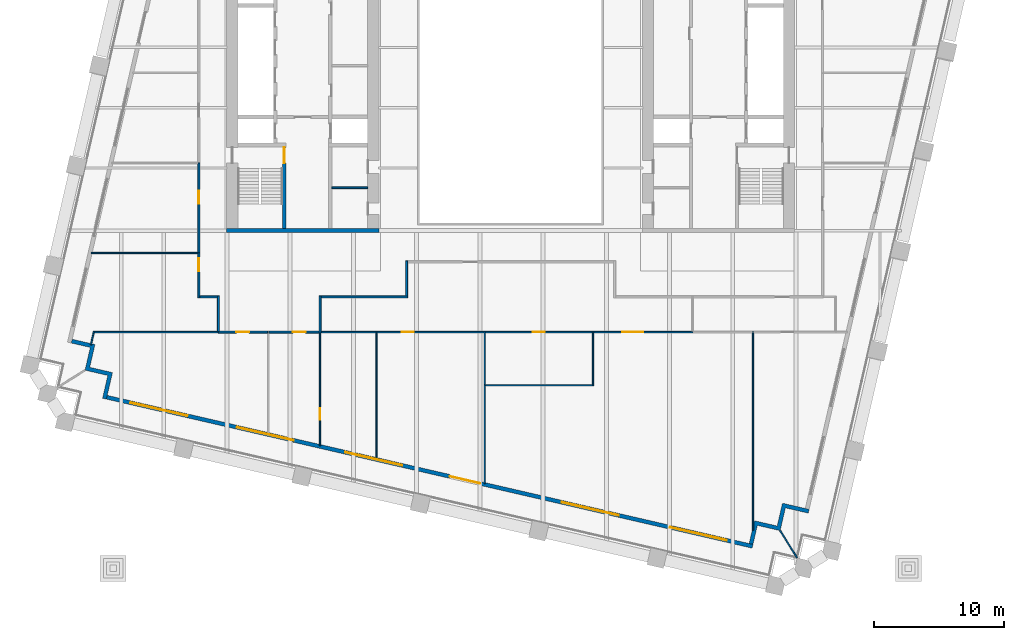
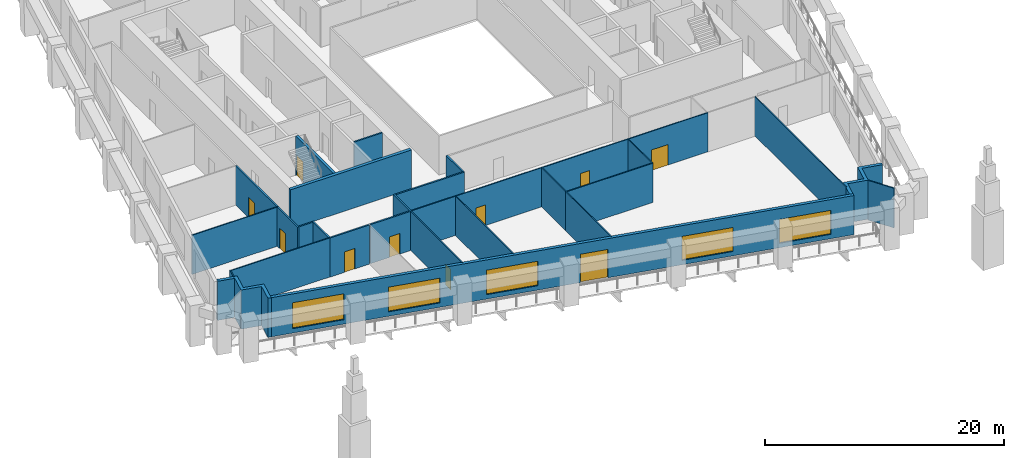
# One storey, part 4 of 10: 30 walls, 10 doors, 5 windows, 15 openings.
"""IFC4 building model written with IfcOpenShell, lengths in metres."""

from ifc_helpers import new_model, si_unit, direction, frame, frame_2d, origin, place, context, subcontext, project, spatial, polyline, rectangle, outline, extrude, material, layer, layer_set, type_object, element, fill, save


model = new_model("IFC4")

# Units and contexts
model_context = context("Model", 3, precision=1e-05, world=origin(), true_north=direction((0.0, 1.0)))
body_context = subcontext(model_context, "Body", "Model", "MODEL_VIEW")
ifc_project = project(units=[si_unit("LENGTHUNIT", "METRE"), si_unit("AREAUNIT", "SQUARE_METRE"), si_unit("VOLUMEUNIT", "CUBIC_METRE"), si_unit("PLANEANGLEUNIT", "RADIAN"), si_unit("MASSUNIT", "GRAM", prefix="KILO")], contexts=[model_context])

# Site, building, storey
site_placement = place(None, origin())
site = spatial("IfcSite", under=ifc_project, at=site_placement, CompositionType="ELEMENT")
building_placement = place(site_placement, origin())
building = spatial("IfcBuilding", under=site, at=building_placement, Name="Ogive Exchange Tower", CompositionType="ELEMENT")
storey_placement = place(building_placement, frame((0.0, 0.0, 105.60009765625)))
storey = spatial("IfcBuildingStorey", under=building, at=storey_placement, Name="L22", CompositionType="ELEMENT", Elevation=105.60009765625)

# Wall
ifc_material_1 = material(Name="Gypsum board partition")
ifc_layer_1 = layer(ifc_material_1, 0.14990234375)
ifc_layer_set_1 = layer_set([ifc_layer_1], Name="Core room partition 150 gypsum")
wall_type_1 = type_object("IfcWallType", Name="Core room partition 150 gypsum", PredefinedType="PARTITIONING", material=ifc_layer_set_1)
wall_1_placement = place(storey_placement, frame((-13.75, 0.699951171875, 0.0), z_axis=(0.0, 0.0, 1.0), x_axis=(1.0, 0.0, 0.0)))
element("IfcWall", 1, at=wall_1_placement, inside=storey, type_object=wall_type_1, Name="W south room partition", PredefinedType="PARTITIONING", context=body_context, shape_type="SweptSolid", body=[
    extrude(rectangle(XDim=2.75, YDim=0.14990234375, at=frame_2d((1.375, 0.0))), origin(), (0.0, 0.0, 1.0), 4.0),
])

# Wall, opening, door
ifc_material_2 = material(Name="Fire partition EI 60 150")
ifc_layer_2 = layer(ifc_material_2, 0.14990234375)
ifc_layer_set_2 = layer_set([ifc_layer_2], Name="Fire partition EI 60 150")
wall_type_2 = type_object("IfcWallType", Name="Fire partition EI 60 150", PredefinedType="PARTITIONING", material=ifc_layer_set_2)
wall_2_placement = place(storey_placement, frame((-24.0, -7.77490234375, 0.0), z_axis=(0.0, 0.0, 1.0), x_axis=(0.0, 1.0, 0.0)))
wall_2 = element("IfcWall", 2, at=wall_2_placement, inside=storey, type_object=wall_type_2, Name="L22-PWL-003", PredefinedType="PARTITIONING", context=body_context, shape_type="SweptSolid", body=[
    extrude(rectangle(XDim=3.454833984375, YDim=0.14990234375, at=frame_2d((1.7275390625, 0.0))), origin(), (0.0, 0.0, 1.0), 4.0),
])
opening_1_placement = place(wall_2_placement, frame((2.054931640625, 0.0, 0.0)))
opening_1 = element("IfcOpeningElement", 3, at=opening_1_placement, cuts=wall_2, Name="Opening L22-I21", PredefinedType="OPENING", context=body_context, shape_type="SweptSolid", body=[
    extrude(rectangle(XDim=1.0, YDim=2.10009765625, at=frame_2d((0.5, 1.050048828125))), frame((0.0, 0.0849609375, 0.0), z_axis=(0.0, -1.0, 0.0), x_axis=(1.0, 0.0, 0.0)), (0.0, 0.0, 1.0), 0.169921875),
])
ifc_material_3 = material(Name="Fire door FD 30S 1000 x 2100")
door_type_1 = type_object("IfcDoorType", Name="Fire door FD 30S 1000 x 2100", OperationType="NOTDEFINED", PredefinedType="DOOR", material=ifc_material_3)
door_1_placement = place(opening_1_placement, origin())
door_1 = element("IfcDoor", 4, at=door_1_placement, inside=storey, type_object=door_type_1, Name="L22-IDR-021", ObjectType="DT3", OperationType="SINGLE_SWING_LEFT", OverallHeight=2.10009765625, OverallWidth=1.0, PredefinedType="DOOR", context=body_context, shape_type="SweptSolid", body=[
    extrude(rectangle(XDim=1.0, YDim=2.10009765625, at=frame_2d((0.5, 1.050048828125))), frame((0.0, 0.02490234375, 0.0), z_axis=(0.0, -1.0, 0.0), x_axis=(1.0, 0.0, 0.0)), (0.0, 0.0, 1.0), 0.050048828125),
])
fill(opening_1, door_1)

wall_3_placement = place(storey_placement, frame((-24.0, -4.320068359375, 0.0), z_axis=(0.0, 0.0, 1.0), x_axis=(0.0, 1.0, 0.0)))
wall_3 = element("IfcWall", 5, at=wall_3_placement, inside=storey, type_object=wall_type_2, Name="L22-PWL-005", PredefinedType="PARTITIONING", context=body_context, shape_type="SweptSolid", body=[
    extrude(rectangle(XDim=6.93017578125, YDim=0.14990234375, at=frame_2d((3.465087890625, 0.0))), origin(), (0.0, 0.0, 1.0), 4.0),
])
opening_2_placement = place(wall_3_placement, frame((3.780029296875, 0.0, 0.0)))
opening_2 = element("IfcOpeningElement", 6, at=opening_2_placement, cuts=wall_3, Name="Opening L22-I20", PredefinedType="OPENING", context=body_context, shape_type="SweptSolid", body=[
    extrude(rectangle(XDim=1.0, YDim=2.10009765625, at=frame_2d((0.5, 1.050048828125))), frame((0.0, 0.0849609375, 0.0), z_axis=(0.0, -1.0, 0.0), x_axis=(1.0, 0.0, 0.0)), (0.0, 0.0, 1.0), 0.169921875),
])
door_2_placement = place(opening_2_placement, origin())
door_2 = element("IfcDoor", 7, at=door_2_placement, inside=storey, type_object=door_type_1, Name="L22-IDR-020", ObjectType="DT3", OperationType="SINGLE_SWING_LEFT", OverallHeight=2.10009765625, OverallWidth=1.0, PredefinedType="DOOR", context=body_context, shape_type="SweptSolid", body=[
    extrude(rectangle(XDim=1.0, YDim=2.10009765625, at=frame_2d((0.5, 1.050048828125))), frame((0.0, 0.02490234375, 0.0), z_axis=(0.0, -1.0, 0.0), x_axis=(1.0, 0.0, 0.0)), (0.0, 0.0, 1.0), 0.050048828125),
])
fill(opening_2, door_2)

# Walls
wall_4_placement = place(storey_placement, frame((-22.5, -10.360107421875, 0.0), z_axis=(0.0, 0.0, 1.0), x_axis=(0.0, 1.0, 0.0)))
element("IfcWall", 8, at=wall_4_placement, inside=storey, type_object=wall_type_2, Name="L22-PWL-013", PredefinedType="PARTITIONING", context=body_context, shape_type="SweptSolid", body=[
    extrude(rectangle(XDim=2.735107421875, YDim=0.14990234375, at=frame_2d((1.36767578125, 0.0))), origin(), (0.0, 0.0, 1.0), 4.0),
])
wall_5_placement = place(storey_placement, frame((-22.574951171875, -7.699951171875, 0.0), z_axis=(0.0, 0.0, 1.0), x_axis=(-1.0, 0.0, 0.0)))
element("IfcWall", 9, at=wall_5_placement, inside=storey, type_object=wall_type_2, Name="L22-PWL-014", PredefinedType="PARTITIONING", context=body_context, shape_type="SweptSolid", body=[
    extrude(rectangle(XDim=1.35009765625, YDim=0.14990234375, at=frame_2d((0.675048828125, 0.0))), origin(), (0.0, 0.0, 1.0), 4.0),
])

# Wall, opening, door
wall_6_placement = place(storey_placement, frame((-18.699951171875, -10.409912109375, 0.0), z_axis=(0.0, 0.0, 1.0), x_axis=(-1.0, 0.0, 0.0)))
wall_6 = element("IfcWall", 10, at=wall_6_placement, inside=storey, type_object=wall_type_2, Name="L22-PWL-016", PredefinedType="PARTITIONING", context=body_context, shape_type="SweptSolid", body=[
    extrude(rectangle(XDim=3.800048828125, YDim=0.14990234375, at=frame_2d((1.89990234375, 0.0))), origin(), (0.0, 0.0, 1.0), 4.0),
])
opening_3_placement = place(wall_6_placement, frame((1.39990234375, 0.0, 0.0)))
opening_3 = element("IfcOpeningElement", 11, at=opening_3_placement, cuts=wall_6, Name="Opening L22-I28", PredefinedType="OPENING", context=body_context, shape_type="SweptSolid", body=[
    extrude(rectangle(XDim=1.0, YDim=2.10009765625, at=frame_2d((0.5, 1.050048828125))), frame((0.0, 0.0849609375, 0.0), z_axis=(0.0, -1.0, 0.0), x_axis=(1.0, 0.0, 0.0)), (0.0, 0.0, 1.0), 0.169921875),
])
door_3_placement = place(opening_3_placement, origin())
door_3 = element("IfcDoor", 12, at=door_3_placement, inside=storey, type_object=door_type_1, Name="L22-IDR-028", ObjectType="DT3", OperationType="SINGLE_SWING_RIGHT", OverallHeight=2.10009765625, OverallWidth=1.0, PredefinedType="DOOR", context=body_context, shape_type="SweptSolid", body=[
    extrude(rectangle(XDim=1.0, YDim=2.10009765625, at=frame_2d((0.5, 1.050048828125))), frame((0.0, 0.02490234375, 0.0), z_axis=(0.0, -1.0, 0.0), x_axis=(1.0, 0.0, 0.0)), (0.0, 0.0, 1.0), 0.050048828125),
])
fill(opening_3, door_3)

wall_7_placement = place(storey_placement, frame((-14.719970703125, -10.409912109375, 0.0), z_axis=(0.0, 0.0, 1.0), x_axis=(-1.0, 0.0, 0.0)))
wall_7 = element("IfcWall", 13, at=wall_7_placement, inside=storey, type_object=wall_type_2, Name="L22-PWL-023", PredefinedType="PARTITIONING", context=body_context, shape_type="SweptSolid", body=[
    extrude(rectangle(XDim=3.880126953125, YDim=0.14990234375, at=frame_2d((1.93994140625, 0.0))), origin(), (0.0, 0.0, 1.0), 4.0),
])
opening_4_placement = place(wall_7_placement, frame((1.030029296875, 0.0, 0.0)))
opening_4 = element("IfcOpeningElement", 14, at=opening_4_placement, cuts=wall_7, Name="Opening L22-I27", PredefinedType="OPENING", context=body_context, shape_type="SweptSolid", body=[
    extrude(rectangle(XDim=1.0, YDim=2.10009765625, at=frame_2d((0.5, 1.050048828125))), frame((0.0, 0.0849609375, 0.0), z_axis=(0.0, -1.0, 0.0), x_axis=(1.0, 0.0, 0.0)), (0.0, 0.0, 1.0), 0.169921875),
])
door_4_placement = place(opening_4_placement, origin())
door_4 = element("IfcDoor", 15, at=door_4_placement, inside=storey, type_object=door_type_1, Name="L22-IDR-027", ObjectType="DT3", OperationType="SINGLE_SWING_RIGHT", OverallHeight=2.10009765625, OverallWidth=1.0, PredefinedType="DOOR", context=body_context, shape_type="SweptSolid", body=[
    extrude(rectangle(XDim=1.0, YDim=2.10009765625, at=frame_2d((0.5, 1.050048828125))), frame((0.0, 0.02490234375, 0.0), z_axis=(0.0, -1.0, 0.0), x_axis=(1.0, 0.0, 0.0)), (0.0, 0.0, 1.0), 0.050048828125),
])
fill(opening_4, door_4)

# Walls
wall_8_placement = place(storey_placement, frame((-14.669921875, -7.625, 0.0), z_axis=(0.0, 0.0, 1.0), x_axis=(0.0, -1.0, 0.0)))
element("IfcWall", 16, at=wall_8_placement, inside=storey, type_object=wall_type_2, Name="L22-PWL-024", PredefinedType="PARTITIONING", context=body_context, shape_type="SweptSolid", body=[
    extrude(rectangle(XDim=2.8349609375, YDim=0.14990234375, at=frame_2d((1.41748046875, 0.0))), origin(), (0.0, 0.0, 1.0), 4.0),
])
wall_9_placement = place(storey_placement, frame((-7.925048828125, -7.699951171875, 0.0), z_axis=(0.0, 0.0, 1.0), x_axis=(-1.0, 0.0, 0.0)))
element("IfcWall", 17, at=wall_9_placement, inside=storey, type_object=wall_type_2, Name="L22-PWL-030", PredefinedType="PARTITIONING", context=body_context, shape_type="SweptSolid", body=[
    extrude(rectangle(XDim=6.669921875, YDim=0.14990234375, at=frame_2d((3.3349609375, 0.0))), origin(), (0.0, 0.0, 1.0), 4.0),
])
wall_10_placement = place(storey_placement, frame((-8.0, -4.925048828125, 0.0), z_axis=(0.0, 0.0, 1.0), x_axis=(0.0, -1.0, 0.0)))
element("IfcWall", 18, at=wall_10_placement, inside=storey, type_object=wall_type_2, Name="L22-PWL-031", PredefinedType="PARTITIONING", context=body_context, shape_type="SweptSolid", body=[
    extrude(rectangle(XDim=2.699951171875, YDim=0.14990234375, at=frame_2d((1.35009765625, 0.0))), origin(), (0.0, 0.0, 1.0), 4.0),
])

# Wall, openings, door, windows
ifc_material_4 = material(Name="Precast concrete C40/50", Category="concrete")
ifc_layer_3 = layer(ifc_material_4, 0.300048828125)
ifc_layer_set_3 = layer_set([ifc_layer_3], Name="Limestone-faced wall 300")
wall_type_3 = type_object("IfcWallType", Name="Limestone-faced wall 300", PredefinedType="STANDARD", material=ifc_layer_set_3)
wall_11_placement = place(storey_placement, frame((-31.07763671875, -15.4208984375, 0.0), z_axis=(0.0, 0.0, 1.0), x_axis=(0.974370456532, -0.224949357493, 0.0)))
wall_11 = element("IfcWall", 19, at=wall_11_placement, inside=storey, type_object=wall_type_3, Name="External wall S1", PredefinedType="STANDARD", context=body_context, shape_type="SweptSolid", body=[
    extrude(rectangle(XDim=51.0, YDim=0.300048828125, at=frame_2d((25.5, 0.0))), origin(), (0.0, 0.0, 1.0), 4.0),
])
opening_5_placement = place(wall_11_placement, frame((1.875, 0.0, 0.449951171875)))
opening_5 = element("IfcOpeningElement", 20, at=opening_5_placement, cuts=wall_11, Name="Opening W1K", PredefinedType="OPENING", context=body_context, shape_type="SweptSolid", body=[
    extrude(rectangle(XDim=4.5, YDim=2.64990234375, at=frame_2d((2.25, 1.324951171875))), frame((0.0, 0.159912109375, 0.0), z_axis=(0.0, -1.0, 0.0), x_axis=(1.0, 0.0, 0.0)), (0.0, 0.0, 1.0), 0.320068359375),
])
opening_6_placement = place(wall_11_placement, frame((10.27490234375, 0.0, 0.449951171875)))
opening_6 = element("IfcOpeningElement", 21, at=opening_6_placement, cuts=wall_11, Name="Opening W1N", PredefinedType="OPENING", context=body_context, shape_type="SweptSolid", body=[
    extrude(rectangle(XDim=4.5, YDim=2.52490234375, at=frame_2d((2.25, 1.262451171875))), frame((0.0, 0.159912109375, 0.0), z_axis=(0.0, -1.0, 0.0), x_axis=(1.0, 0.0, 0.0)), (0.0, 0.0, 1.0), 0.320068359375),
])
opening_7_placement = place(wall_11_placement, frame((18.824951171875, 0.0, 0.449951171875)))
opening_7 = element("IfcOpeningElement", 22, at=opening_7_placement, cuts=wall_11, Name="Opening W1O", PredefinedType="OPENING", context=body_context, shape_type="SweptSolid", body=[
    extrude(rectangle(XDim=4.5, YDim=2.5, at=frame_2d((2.25, 1.25))), frame((0.0, 0.159912109375, 0.0), z_axis=(0.0, -1.0, 0.0), x_axis=(1.0, 0.0, 0.0)), (0.0, 0.0, 1.0), 0.320068359375),
])
opening_8_placement = place(wall_11_placement, frame((27.074951171875, 0.0, 0.0)))
opening_8 = element("IfcOpeningElement", 23, at=opening_8_placement, cuts=wall_11, Name="Opening D1P", PredefinedType="OPENING", context=body_context, shape_type="SweptSolid", body=[
    extrude(rectangle(XDim=2.39990234375, YDim=2.89990234375, at=frame_2d((1.199951171875, 1.449951171875))), frame((0.0, 0.159912109375, 0.0), z_axis=(0.0, -1.0, 0.0), x_axis=(1.0, 0.0, 0.0)), (0.0, 0.0, 1.0), 0.320068359375),
])
opening_9_placement = place(wall_11_placement, frame((35.925048828125, 0.0, 0.449951171875)))
opening_9 = element("IfcOpeningElement", 24, at=opening_9_placement, cuts=wall_11, Name="Opening W1Q", PredefinedType="OPENING", context=body_context, shape_type="SweptSolid", body=[
    extrude(rectangle(XDim=4.5, YDim=2.449951171875, at=frame_2d((2.25, 1.22509765625))), frame((0.0, 0.159912109375, 0.0), z_axis=(0.0, -1.0, 0.0), x_axis=(1.0, 0.0, 0.0)), (0.0, 0.0, 1.0), 0.320068359375),
])
opening_10_placement = place(wall_11_placement, frame((44.47509765625, 0.0, 0.449951171875)))
opening_10 = element("IfcOpeningElement", 25, at=opening_10_placement, cuts=wall_11, Name="Opening W1Q", PredefinedType="OPENING", context=body_context, shape_type="SweptSolid", body=[
    extrude(rectangle(XDim=4.5, YDim=2.449951171875, at=frame_2d((2.25, 1.22509765625))), frame((0.0, 0.159912109375, 0.0), z_axis=(0.0, -1.0, 0.0), x_axis=(1.0, 0.0, 0.0)), (0.0, 0.0, 1.0), 0.320068359375),
])
ifc_material_5 = material(Name="Clear glass in bronze frame", Category="glass")
door_type_2 = type_object("IfcDoorType", Name="Sliding loggia door 2400 x 2900", OperationType="DOUBLE_DOOR_SLIDING", PredefinedType="DOOR", material=ifc_material_5)
door_5_placement = place(opening_8_placement, origin())
door_5 = element("IfcDoor", 26, at=door_5_placement, inside=storey, type_object=door_type_2, Name="Loggia door S03", OperationType="DOUBLE_DOOR_SLIDING", OverallHeight=2.89990234375, OverallWidth=2.39990234375, PredefinedType="DOOR", context=body_context, shape_type="SweptSolid", body=[
    extrude(rectangle(XDim=2.39990234375, YDim=2.89990234375, at=frame_2d((1.199951171875, 1.449951171875))), frame((0.0, 0.02490234375, 0.0), z_axis=(0.0, -1.0, 0.0), x_axis=(1.0, 0.0, 0.0)), (0.0, 0.0, 1.0), 0.050048828125),
])
fill(opening_8, door_5)
window_type_1 = type_object("IfcWindowType", Name="Twin lancet window 4500 x 2450", PartitioningType="DOUBLE_PANEL_VERTICAL", PredefinedType="WINDOW", material=ifc_material_5)
window_1_placement = place(opening_9_placement, origin())
window_1 = element("IfcWindow", 27, at=window_1_placement, inside=storey, type_object=window_type_1, Name="Window S04", OverallHeight=2.449951171875, OverallWidth=4.5, PartitioningType="DOUBLE_PANEL_VERTICAL", PredefinedType="WINDOW", context=body_context, shape_type="SweptSolid", body=[
    extrude(rectangle(XDim=4.5, YDim=2.449951171875, at=frame_2d((2.25, 1.22509765625))), frame((0.0, 0.030029296875, 0.0), z_axis=(0.0, -1.0, 0.0), x_axis=(1.0, 0.0, 0.0)), (0.0, 0.0, 1.0), 0.06005859375),
])
fill(opening_9, window_1)
window_2_placement = place(opening_10_placement, origin())
window_2 = element("IfcWindow", 28, at=window_2_placement, inside=storey, type_object=window_type_1, Name="Window S05", OverallHeight=2.449951171875, OverallWidth=4.5, PartitioningType="DOUBLE_PANEL_VERTICAL", PredefinedType="WINDOW", context=body_context, shape_type="SweptSolid", body=[
    extrude(rectangle(XDim=4.5, YDim=2.449951171875, at=frame_2d((2.25, 1.22509765625))), frame((0.0, 0.030029296875, 0.0), z_axis=(0.0, -1.0, 0.0), x_axis=(1.0, 0.0, 0.0)), (0.0, 0.0, 1.0), 0.06005859375),
])
fill(opening_10, window_2)
window_type_2 = type_object("IfcWindowType", Name="Twin lancet window 4500 x 2500", PartitioningType="DOUBLE_PANEL_VERTICAL", PredefinedType="WINDOW", material=ifc_material_5)
window_3_placement = place(opening_7_placement, origin())
window_3 = element("IfcWindow", 29, at=window_3_placement, inside=storey, type_object=window_type_2, Name="Window S02", OverallHeight=2.5, OverallWidth=4.5, PartitioningType="DOUBLE_PANEL_VERTICAL", PredefinedType="WINDOW", context=body_context, shape_type="SweptSolid", body=[
    extrude(rectangle(XDim=4.5, YDim=2.5, at=frame_2d((2.25, 1.25))), frame((0.0, 0.030029296875, 0.0), z_axis=(0.0, -1.0, 0.0), x_axis=(1.0, 0.0, 0.0)), (0.0, 0.0, 1.0), 0.06005859375),
])
fill(opening_7, window_3)
window_type_3 = type_object("IfcWindowType", Name="Twin lancet window 4500 x 2525", PartitioningType="DOUBLE_PANEL_VERTICAL", PredefinedType="WINDOW", material=ifc_material_5)
window_4_placement = place(opening_6_placement, origin())
window_4 = element("IfcWindow", 30, at=window_4_placement, inside=storey, type_object=window_type_3, Name="Window S01", OverallHeight=2.52490234375, OverallWidth=4.5, PartitioningType="DOUBLE_PANEL_VERTICAL", PredefinedType="WINDOW", context=body_context, shape_type="SweptSolid", body=[
    extrude(rectangle(XDim=4.5, YDim=2.52490234375, at=frame_2d((2.25, 1.262451171875))), frame((0.0, 0.030029296875, 0.0), z_axis=(0.0, -1.0, 0.0), x_axis=(1.0, 0.0, 0.0)), (0.0, 0.0, 1.0), 0.06005859375),
])
fill(opening_6, window_4)
window_type_4 = type_object("IfcWindowType", Name="Twin lancet window 4500 x 2650", PartitioningType="DOUBLE_PANEL_VERTICAL", PredefinedType="WINDOW", material=ifc_material_5)
window_5_placement = place(opening_5_placement, origin())
window_5 = element("IfcWindow", 31, at=window_5_placement, inside=storey, type_object=window_type_4, Name="Window S00", OverallHeight=2.64990234375, OverallWidth=4.5, PartitioningType="DOUBLE_PANEL_VERTICAL", PredefinedType="WINDOW", context=body_context, shape_type="SweptSolid", body=[
    extrude(rectangle(XDim=4.5, YDim=2.64990234375, at=frame_2d((2.25, 1.324951171875))), frame((0.0, 0.030029296875, 0.0), z_axis=(0.0, -1.0, 0.0), x_axis=(1.0, 0.0, 0.0)), (0.0, 0.0, 1.0), 0.06005859375),
])
fill(opening_5, window_5)

# Walls
wall_12_placement = place(storey_placement, origin())
element("IfcWall", 32, at=wall_12_placement, inside=storey, type_object=wall_type_3, Name="External corner wall C1", PredefinedType="STANDARD", context=body_context, shape_type="SweptSolid", body=[
    extrude(outline(polyline([(20.515380859375, -25.330810546875), (20.92041015625, -23.576904296875), (22.966552734375, -24.04931640625), (22.89892578125, -24.341552734375), (21.145263671875, -23.936767578125), (20.740234375, -25.690673828125), (18.986328125, -25.28564453125), (18.64892578125, -26.747314453125), (18.356689453125, -26.6796875), (18.76171875, -24.92578125), (20.515380859375, -25.330810546875)])), origin(), (0.0, 0.0, 1.0), 4.0),
])
wall_13_placement = place(storey_placement, origin())
element("IfcWall", 33, at=wall_13_placement, inside=storey, type_object=wall_type_3, Name="External corner wall C4", PredefinedType="STANDARD", context=body_context, shape_type="SweptSolid", body=[
    extrude(outline(polyline([(-32.392822265625, -13.115966796875), (-30.638916015625, -13.52099609375), (-31.111328125, -15.56689453125), (-31.40380859375, -15.49951171875), (-30.998779296875, -13.74560546875), (-32.752685546875, -13.3408203125), (-32.34765625, -11.5869140625), (-33.809326171875, -11.24951171875), (-33.74169921875, -10.957275390625), (-31.98779296875, -11.362060546875), (-32.392822265625, -13.115966796875)])), origin(), (0.0, 0.0, 1.0), 4.0),
])
ifc_material_6 = material(Name="Laminated safety glass in steel frame", Category="steel")
ifc_layer_4 = layer(ifc_material_6, 0.10009765625)
ifc_layer_set_4 = layer_set([ifc_layer_4], Name="Loggia end screen 100")
wall_type_4 = type_object("IfcWallType", Name="Loggia end screen 100", PredefinedType="STANDARD", material=ifc_layer_set_4)
wall_14_placement = place(storey_placement, frame((20.740234375, -25.690673828125, -0.050048828125), z_axis=(0.0, 0.0, 1.0), x_axis=(0.529972121605, -0.848015064914, 0.0)))
element("IfcWall", 34, at=wall_14_placement, inside=storey, type_object=wall_type_4, Name="Loggia end screen C1", PredefinedType="STANDARD", context=body_context, shape_type="SweptSolid", body=[
    extrude(rectangle(XDim=2.454833984375, YDim=0.10009765625, at=frame_2d((1.2275390625, 0.0))), origin(), (0.0, 0.0, 1.0), 4.050048828125),
])
ifc_material_7 = material(Name="Partition 100 gypsum")
ifc_layer_5 = layer(ifc_material_7, 0.10009765625)
ifc_layer_set_5 = layer_set([ifc_layer_5], Name="Partition 100 gypsum")
wall_type_5 = type_object("IfcWallType", Name="Partition 100 gypsum", PredefinedType="PARTITIONING", material=ifc_layer_set_5)
wall_15_placement = place(storey_placement, frame((-32.069091796875, -10.361083984375, 0.0), z_axis=(0.0, 0.0, 1.0), x_axis=(-0.222987762652, -0.974821243976, 0.0)))
element("IfcWall", 35, at=wall_15_placement, inside=storey, type_object=wall_type_5, Name="L22-PWL-001", PredefinedType="PARTITIONING", context=body_context, shape_type="SweptSolid", body=[
    extrude(rectangle(XDim=1.0576171875, YDim=0.10009765625, at=frame_2d((0.52880859375, 0.0))), origin(), (0.0, 0.0, 1.0), 4.0),
])
wall_16_placement = place(storey_placement, frame((-24.074951171875, -4.320068359375, 0.0), z_axis=(0.0, 0.0, 1.0), x_axis=(-1.0, 0.0, 0.0)))
element("IfcWall", 36, at=wall_16_placement, inside=storey, type_object=wall_type_5, Name="L22-PWL-004", PredefinedType="PARTITIONING", context=body_context, shape_type="SweptSolid", body=[
    extrude(rectangle(XDim=8.217041015625, YDim=0.10009765625, at=frame_2d((4.1083984375, 0.0))), origin(), (0.0, 0.0, 1.0), 4.0),
])
wall_17_placement = place(storey_placement, frame((-22.5, -10.409912109375, 0.0), z_axis=(0.0, 0.0, 1.0), x_axis=(-1.0, 0.0, 0.0)))
element("IfcWall", 37, at=wall_17_placement, inside=storey, type_object=wall_type_5, Name="L22-PWL-012", PredefinedType="PARTITIONING", context=body_context, shape_type="SweptSolid", body=[
    extrude(rectangle(XDim=9.530029296875, YDim=0.10009765625, at=frame_2d((4.76513671875, 0.0))), origin(), (0.0, 0.0, 1.0), 4.0),
])

# Wall, opening, door
wall_18_placement = place(storey_placement, frame((-14.669921875, -19.137939453125, 0.0), z_axis=(0.0, 0.0, 1.0), x_axis=(0.0, 1.0, 0.0)))
wall_18 = element("IfcWall", 38, at=wall_18_placement, inside=storey, type_object=wall_type_5, Name="L22-PWL-022", PredefinedType="PARTITIONING", context=body_context, shape_type="SweptSolid", body=[
    extrude(rectangle(XDim=8.677978515625, YDim=0.10009765625, at=frame_2d((4.3388671875, 0.0))), origin(), (0.0, 0.0, 1.0), 4.0),
])
opening_11_placement = place(wall_18_placement, frame((1.97802734375, 0.0, 0.0)))
opening_11 = element("IfcOpeningElement", 39, at=opening_11_placement, cuts=wall_18, Name="Opening L22-I26", PredefinedType="OPENING", context=body_context, shape_type="SweptSolid", body=[
    extrude(rectangle(XDim=0.89990234375, YDim=2.10009765625, at=frame_2d((0.449951171875, 1.050048828125))), frame((0.0, 0.06005859375, 0.0), z_axis=(0.0, -1.0, 0.0), x_axis=(1.0, 0.0, 0.0)), (0.0, 0.0, 1.0), 0.1201171875),
])
ifc_material_8 = material(Name="Door 900 x 2100")
door_type_3 = type_object("IfcDoorType", Name="Door 900 x 2100", OperationType="NOTDEFINED", PredefinedType="DOOR", material=ifc_material_8)
door_6_placement = place(opening_11_placement, origin())
door_6 = element("IfcDoor", 40, at=door_6_placement, inside=storey, type_object=door_type_3, Name="L22-IDR-026", ObjectType="DT1", OperationType="SINGLE_SWING_RIGHT", OverallHeight=2.10009765625, OverallWidth=0.89990234375, PredefinedType="DOOR", context=body_context, shape_type="SweptSolid", body=[
    extrude(rectangle(XDim=0.89990234375, YDim=2.10009765625, at=frame_2d((0.449951171875, 1.050048828125))), frame((0.0, 0.02490234375, 0.0), z_axis=(0.0, -1.0, 0.0), x_axis=(1.0, 0.0, 0.0)), (0.0, 0.0, 1.0), 0.050048828125),
])
fill(opening_11, door_6)

# Walls
wall_19_placement = place(storey_placement, frame((-10.320068359375, -20.14208984375, 0.0), z_axis=(0.0, 0.0, 1.0), x_axis=(0.0, 1.0, 0.0)))
element("IfcWall", 41, at=wall_19_placement, inside=storey, type_object=wall_type_5, Name="L22-PWL-025", PredefinedType="PARTITIONING", context=body_context, shape_type="SweptSolid", body=[
    extrude(rectangle(XDim=9.781982421875, YDim=0.10009765625, at=frame_2d((4.89111328125, 0.0))), origin(), (0.0, 0.0, 1.0), 4.0),
])
wall_20_placement = place(storey_placement, frame((-10.3701171875, -10.409912109375, 0.0), z_axis=(0.0, 0.0, 1.0), x_axis=(-1.0, 0.0, 0.0)))
element("IfcWall", 42, at=wall_20_placement, inside=storey, type_object=wall_type_5, Name="L22-PWL-026", PredefinedType="PARTITIONING", context=body_context, shape_type="SweptSolid", body=[
    extrude(rectangle(XDim=4.25, YDim=0.10009765625, at=frame_2d((2.125, 0.0))), origin(), (0.0, 0.0, 1.0), 4.0),
])
wall_21_placement = place(storey_placement, frame((-1.989990234375, -22.06494140625, 0.0), z_axis=(0.0, 0.0, 1.0), x_axis=(0.0, 1.0, 0.0)))
element("IfcWall", 43, at=wall_21_placement, inside=storey, type_object=wall_type_5, Name="L22-PWL-042", PredefinedType="PARTITIONING", context=body_context, shape_type="SweptSolid", body=[
    extrude(rectangle(XDim=7.614990234375, YDim=0.10009765625, at=frame_2d((3.8076171875, 0.0))), origin(), (0.0, 0.0, 1.0), 4.0),
])
wall_22_placement = place(storey_placement, frame((-1.989990234375, -14.449951171875, 0.0), z_axis=(0.0, 0.0, 1.0), x_axis=(0.0, 1.0, 0.0)))
element("IfcWall", 44, at=wall_22_placement, inside=storey, type_object=wall_type_5, Name="L22-PWL-043", PredefinedType="PARTITIONING", context=body_context, shape_type="SweptSolid", body=[
    extrude(rectangle(XDim=4.08984375, YDim=0.10009765625, at=frame_2d((2.044921875, 0.0))), origin(), (0.0, 0.0, 1.0), 4.0),
])
wall_23_placement = place(storey_placement, frame((-1.93994140625, -14.5, 0.0), z_axis=(0.0, 0.0, 1.0), x_axis=(1.0, 0.0, 0.0)))
element("IfcWall", 45, at=wall_23_placement, inside=storey, type_object=wall_type_5, Name="L22-PWL-044", PredefinedType="PARTITIONING", context=body_context, shape_type="SweptSolid", body=[
    extrude(rectangle(XDim=8.329833984375, YDim=0.10009765625, at=frame_2d((4.1650390625, 0.0))), origin(), (0.0, 0.0, 1.0), 4.0),
])

# Wall, opening, door
wall_24_placement = place(storey_placement, frame((-2.0400390625, -10.409912109375, 0.0), z_axis=(0.0, 0.0, 1.0), x_axis=(-1.0, 0.0, 0.0)))
wall_24 = element("IfcWall", 46, at=wall_24_placement, inside=storey, type_object=wall_type_5, Name="L22-PWL-045", PredefinedType="PARTITIONING", context=body_context, shape_type="SweptSolid", body=[
    extrude(rectangle(XDim=8.22998046875, YDim=0.10009765625, at=frame_2d((4.114990234375, 0.0))), origin(), (0.0, 0.0, 1.0), 4.0),
])
opening_12_placement = place(wall_24_placement, frame((5.429931640625, 0.0, 0.0)))
opening_12 = element("IfcOpeningElement", 47, at=opening_12_placement, cuts=wall_24, Name="Opening L22-I25", PredefinedType="OPENING", context=body_context, shape_type="SweptSolid", body=[
    extrude(rectangle(XDim=0.89990234375, YDim=2.10009765625, at=frame_2d((0.449951171875, 1.050048828125))), frame((0.0, 0.06005859375, 0.0), z_axis=(0.0, -1.0, 0.0), x_axis=(1.0, 0.0, 0.0)), (0.0, 0.0, 1.0), 0.1201171875),
])
door_7_placement = place(opening_12_placement, origin())
door_7 = element("IfcDoor", 48, at=door_7_placement, inside=storey, type_object=door_type_3, Name="L22-IDR-025", ObjectType="DT1", OperationType="SINGLE_SWING_LEFT", OverallHeight=2.10009765625, OverallWidth=0.89990234375, PredefinedType="DOOR", context=body_context, shape_type="SweptSolid", body=[
    extrude(rectangle(XDim=0.89990234375, YDim=2.10009765625, at=frame_2d((0.449951171875, 1.050048828125))), frame((0.0, 0.02490234375, 0.0), z_axis=(0.0, -1.0, 0.0), x_axis=(1.0, 0.0, 0.0)), (0.0, 0.0, 1.0), 0.050048828125),
])
fill(opening_12, door_7)

# Wall
wall_25_placement = place(storey_placement, frame((6.340087890625, -14.449951171875, 0.0), z_axis=(0.0, 0.0, 1.0), x_axis=(0.0, 1.0, 0.0)))
element("IfcWall", 49, at=wall_25_placement, inside=storey, type_object=wall_type_5, Name="L22-PWL-049", PredefinedType="PARTITIONING", context=body_context, shape_type="SweptSolid", body=[
    extrude(rectangle(XDim=4.08984375, YDim=0.10009765625, at=frame_2d((2.044921875, 0.0))), origin(), (0.0, 0.0, 1.0), 4.0),
])

# Wall, opening, door
wall_26_placement = place(storey_placement, frame((6.2900390625, -10.409912109375, 0.0), z_axis=(0.0, 0.0, 1.0), x_axis=(-1.0, 0.0, 0.0)))
wall_26 = element("IfcWall", 50, at=wall_26_placement, inside=storey, type_object=wall_type_5, Name="L22-PWL-050", PredefinedType="PARTITIONING", context=body_context, shape_type="SweptSolid", body=[
    extrude(rectangle(XDim=8.22998046875, YDim=0.10009765625, at=frame_2d((4.114990234375, 0.0))), origin(), (0.0, 0.0, 1.0), 4.0),
])
opening_13_placement = place(wall_26_placement, frame((3.679931640625, 0.0, 0.0)))
opening_13 = element("IfcOpeningElement", 51, at=opening_13_placement, cuts=wall_26, Name="Opening L22-I24", PredefinedType="OPENING", context=body_context, shape_type="SweptSolid", body=[
    extrude(rectangle(XDim=0.89990234375, YDim=2.10009765625, at=frame_2d((0.449951171875, 1.050048828125))), frame((0.0, 0.06005859375, 0.0), z_axis=(0.0, -1.0, 0.0), x_axis=(1.0, 0.0, 0.0)), (0.0, 0.0, 1.0), 0.1201171875),
])
door_8_placement = place(opening_13_placement, origin())
door_8 = element("IfcDoor", 52, at=door_8_placement, inside=storey, type_object=door_type_3, Name="L22-IDR-024", ObjectType="DT1", OperationType="SINGLE_SWING_LEFT", OverallHeight=2.10009765625, OverallWidth=0.89990234375, PredefinedType="DOOR", context=body_context, shape_type="SweptSolid", body=[
    extrude(rectangle(XDim=0.89990234375, YDim=2.10009765625, at=frame_2d((0.449951171875, 1.050048828125))), frame((0.0, 0.02490234375, 0.0), z_axis=(0.0, -1.0, 0.0), x_axis=(1.0, 0.0, 0.0)), (0.0, 0.0, 1.0), 0.050048828125),
])
fill(opening_13, door_8)

wall_27_placement = place(storey_placement, frame((14.050048828125, -10.409912109375, 0.0), z_axis=(0.0, 0.0, 1.0), x_axis=(-1.0, 0.0, 0.0)))
wall_27 = element("IfcWall", 53, at=wall_27_placement, inside=storey, type_object=wall_type_5, Name="L22-PWL-058", PredefinedType="PARTITIONING", context=body_context, shape_type="SweptSolid", body=[
    extrude(rectangle(XDim=7.66015625, YDim=0.10009765625, at=frame_2d((3.830078125, 0.0))), origin(), (0.0, 0.0, 1.0), 4.0),
])
opening_14_placement = place(wall_27_placement, frame((3.860107421875, 0.0, 0.0)))
opening_14 = element("IfcOpeningElement", 54, at=opening_14_placement, cuts=wall_27, Name="Opening L22-I23", PredefinedType="OPENING", context=body_context, shape_type="SweptSolid", body=[
    extrude(rectangle(XDim=1.60009765625, YDim=2.10009765625, at=frame_2d((0.800048828125, 1.050048828125))), frame((0.0, 0.06005859375, 0.0), z_axis=(0.0, -1.0, 0.0), x_axis=(1.0, 0.0, 0.0)), (0.0, 0.0, 1.0), 0.1201171875),
])
ifc_material_9 = material(Name="Door 1600 x 2100")
door_type_4 = type_object("IfcDoorType", Name="Door 1600 x 2100", OperationType="DOUBLE_DOOR_SINGLE_SWING", PredefinedType="DOOR", material=ifc_material_9)
door_9_placement = place(opening_14_placement, frame((1.60009765625, 0.0, 0.0), z_axis=(0.0, 0.0, 1.0), x_axis=(-1.0, 0.0, 0.0)))
door_9 = element("IfcDoor", 55, at=door_9_placement, inside=storey, type_object=door_type_4, Name="L22-IDR-023", ObjectType="DT2", OperationType="SINGLE_SWING_LEFT", OverallHeight=2.10009765625, OverallWidth=1.60009765625, PredefinedType="DOOR", context=body_context, shape_type="SweptSolid", body=[
    extrude(rectangle(XDim=1.60009765625, YDim=2.10009765625, at=frame_2d((0.800048828125, 1.050048828125))), frame((0.0, 0.02490234375, 0.0), z_axis=(0.0, -1.0, 0.0), x_axis=(1.0, 0.0, 0.0)), (0.0, 0.0, 1.0), 0.050048828125),
])
fill(opening_14, door_9)

# Wall
wall_28_placement = place(storey_placement, frame((18.64990234375, -25.654052734375, 0.0), z_axis=(0.0, 0.0, 1.0), x_axis=(0.0, 1.0, 0.0)))
element("IfcWall", 56, at=wall_28_placement, inside=storey, type_object=wall_type_5, Name="L22-PWL-061", PredefinedType="PARTITIONING", context=body_context, shape_type="SweptSolid", body=[
    extrude(rectangle(XDim=15.2939453125, YDim=0.10009765625, at=frame_2d((7.64697265625, 0.0))), origin(), (0.0, 0.0, 1.0), 4.0),
])

# Wall, opening, door
ifc_material_10 = material(Name="Concrete C70/85", Category="concrete")
ifc_layer_6 = layer(ifc_material_10, 0.25)
ifc_layer_set_6 = layer_set([ifc_layer_6], Name="RC core wall 250 C70/85")
wall_type_6 = type_object("IfcWallType", Name="RC core wall 250 C70/85", PredefinedType="SHEAR", material=ifc_layer_set_6)
wall_29_placement = place(storey_placement, frame((-17.425048828125, -2.449951171875, 0.0), z_axis=(0.0, 0.0, 1.0), x_axis=(0.0, 1.0, 0.0)))
wall_29 = element("IfcWall", 57, at=wall_29_placement, inside=storey, type_object=wall_type_6, Name="W stair S front wall", PredefinedType="SHEAR", context=body_context, shape_type="SweptSolid", body=[
    extrude(rectangle(XDim=6.300048828125, YDim=0.25, at=frame_2d((3.14990234375, 0.0))), origin(), (0.0, 0.0, 1.0), 4.0),
])
opening_15_placement = place(wall_29_placement, frame((5.050048828125, 0.0, 0.0)))
opening_15 = element("IfcOpeningElement", 58, at=opening_15_placement, cuts=wall_29, Name="Opening L22-C13", PredefinedType="OPENING", context=body_context, shape_type="SweptSolid", body=[
    extrude(rectangle(XDim=1.199951171875, YDim=2.10009765625, at=frame_2d((0.60009765625, 1.050048828125))), frame((0.0, 0.135009765625, 0.0), z_axis=(0.0, -1.0, 0.0), x_axis=(1.0, 0.0, 0.0)), (0.0, 0.0, 1.0), 0.27001953125),
])
ifc_material_11 = material(Name="Steel fire door", Category="steel")
door_type_5 = type_object("IfcDoorType", Name="Stair door FD90 1200 x 2100", OperationType="NOTDEFINED", PredefinedType="DOOR", material=ifc_material_11)
door_10_placement = place(opening_15_placement, origin())
door_10 = element("IfcDoor", 59, at=door_10_placement, inside=storey, type_object=door_type_5, Name="Stair door", ObjectType="CD5", OperationType="SINGLE_SWING_LEFT", OverallHeight=2.10009765625, OverallWidth=1.199951171875, PredefinedType="DOOR", context=body_context, shape_type="SweptSolid", body=[
    extrude(rectangle(XDim=1.199951171875, YDim=2.10009765625, at=frame_2d((0.60009765625, 1.050048828125))), frame((0.0, 0.02490234375, 0.0), z_axis=(0.0, -1.0, 0.0), x_axis=(1.0, 0.0, 0.0)), (0.0, 0.0, 1.0), 0.050048828125),
])
fill(opening_15, door_10)

# Wall
ifc_layer_7 = layer(ifc_material_10, 0.300048828125)
ifc_layer_set_7 = layer_set([ifc_layer_7], Name="RC core wall 300 C70/85")
wall_type_7 = type_object("IfcWallType", Name="RC core wall 300 C70/85", PredefinedType="SHEAR", material=ifc_layer_set_7)
wall_30_placement = place(storey_placement, frame((-21.85009765625, -2.60009765625, 0.0), z_axis=(0.0, 0.0, 1.0), x_axis=(1.0, 0.0, 0.0)))
element("IfcWall", 60, at=wall_30_placement, inside=storey, type_object=wall_type_7, Name="W south end wall", PredefinedType="SHEAR", context=body_context, shape_type="SweptSolid", body=[
    extrude(rectangle(XDim=11.7001953125, YDim=0.300048828125, at=frame_2d((5.85009765625, 0.0))), origin(), (0.0, 0.0, 1.0), 4.0),
])

save(model, "model.ifc")
